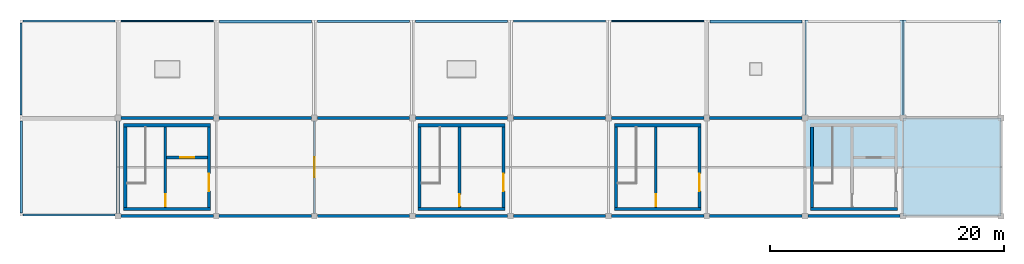
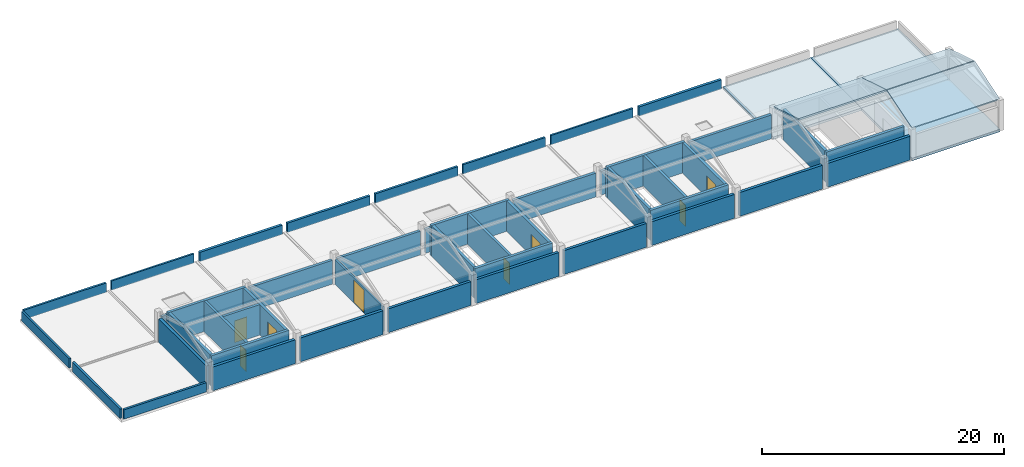
# One storey, part 2 of 4: 46 walls, 8 doors, 6 slabs, 8 openings.
"""IFC4 building model written with IfcOpenShell, lengths in metres."""

from ifc_helpers import new_model, si_unit, direction, frame, frame_2d, origin, place, context, subcontext, project, spatial, polyline, rectangle, outline, extrude, material, layer, layer_set, type_object, element, fill, save


model = new_model("IFC4")

# Units and contexts
model_context = context("Model", 3, precision=1e-05, world=origin(), true_north=direction((0.0, 1.0)))
body_context = subcontext(model_context, "Body", "Model", "MODEL_VIEW")
ifc_project = project(units=[si_unit("LENGTHUNIT", "METRE"), si_unit("AREAUNIT", "SQUARE_METRE"), si_unit("VOLUMEUNIT", "CUBIC_METRE"), si_unit("PLANEANGLEUNIT", "RADIAN"), si_unit("MASSUNIT", "GRAM", prefix="KILO")], contexts=[model_context])

# Site, building, storey
site_placement = place(None, origin())
site = spatial("IfcSite", under=ifc_project, at=site_placement, CompositionType="ELEMENT")
building_placement = place(site_placement, origin())
building = spatial("IfcBuilding", under=site, at=building_placement, Name="Porcellanite Civic Hall", CompositionType="ELEMENT")
storey_placement = place(building_placement, frame((0.0, 0.0, 27.719970703125)))
storey = spatial("IfcBuildingStorey", under=building, at=storey_placement, Name="RF", CompositionType="ELEMENT", Elevation=27.719970703125)

# Slabs
ifc_material_1 = material(Name="Concrete N40 (40 MPa)", Category="concrete")
ifc_layer_1 = layer(ifc_material_1, 0.25)
ifc_layer_set_1 = layer_set([ifc_layer_1], Name="Concrete N40 (40 MPa)")
slab_type_1 = type_object("IfcSlabType", Name="SL-FL250", PredefinedType="FLOOR", material=ifc_layer_set_1)
slab_1_placement = place(storey_placement, frame((0.0, 0.0, -0.25)))
element("IfcSlab", 1, at=slab_1_placement, inside=storey, type_object=slab_type_1, Name="Slab RF bay 15-13", PredefinedType="FLOOR", context=body_context, shape_type="SweptSolid", body=[
    extrude(outline(polyline([(117.60009765625, 100.800048828125), (126.0, 100.800048828125), (126.0, 109.199951171875), (117.60009765625, 109.199951171875), (117.60009765625, 100.800048828125)])), origin(), (0.0, 0.0, 1.0), 0.25),
])
ifc_material_2 = material(Name="Concrete N40 (40 MPa)", Category="concrete")
ifc_layer_2 = layer(ifc_material_2, 0.25)
ifc_layer_set_2 = layer_set([ifc_layer_2], Name="Concrete N40 (40 MPa)")
slab_type_2 = type_object("IfcSlabType", Name="SL-RF250", PredefinedType="ROOF", material=ifc_layer_set_2)
slab_2_placement = place(storey_placement, frame((0.0, 0.0, -0.25)))
element("IfcSlab", 2, at=slab_2_placement, inside=storey, type_object=slab_type_2, Name="Roof slab RF 14-14", PredefinedType="ROOF", context=body_context, shape_type="SweptSolid", body=[
    extrude(outline(polyline([(109.199951171875, 109.199951171875), (117.60009765625, 109.199951171875), (117.60009765625, 117.60009765625), (109.199951171875, 117.60009765625), (109.199951171875, 109.199951171875)])), origin(), (0.0, 0.0, 1.0), 0.25),
])
slab_3_placement = place(storey_placement, frame((0.0, 0.0, -0.25)))
element("IfcSlab", 3, at=slab_3_placement, inside=storey, type_object=slab_type_2, Name="Roof slab RF 15-14", PredefinedType="ROOF", context=body_context, shape_type="SweptSolid", body=[
    extrude(outline(polyline([(117.60009765625, 109.199951171875), (126.0, 109.199951171875), (126.0, 117.60009765625), (117.60009765625, 117.60009765625), (117.60009765625, 109.199951171875)])), origin(), (0.0, 0.0, 1.0), 0.25),
])
ifc_material_3 = material(Name="Concrete N40 (40 MPa)", Category="concrete")
ifc_layer_3 = layer(ifc_material_3, 0.14990234375)
ifc_layer_set_3 = layer_set([ifc_layer_3], Name="Concrete N40 (40 MPa)")
slab_type_3 = type_object("IfcSlabType", Name="SL-SAW150", PredefinedType="ROOF", material=ifc_layer_set_3)
slab_4_placement = place(storey_placement, frame((109.199951171875, 105.034912109375, 4.380126953125), z_axis=(0.0, 0.295863779045, 0.955230142033), x_axis=(1.0, 0.0, 0.0)))
element("IfcSlab", 4, at=slab_4_placement, inside=storey, type_object=slab_type_3, Name="RF plant roof north 13", PredefinedType="ROOF", context=body_context, shape_type="SweptSolid", body=[
    extrude(outline(polyline([(0.0, 0.0), (8.400146484375, 0.0), (8.400146484375, 4.360246687393588), (0.0, 4.360246687393588), (0.0, 0.0)])), origin(), (0.0, 0.0, -1.0), 0.14990234375),
])
for number, where, z_axis, x_axis, name in (
    (5, (117.60009765625, 100.800048828125, 3.090087890625), (0.0, -0.295863779045, 0.955230142033), (1.0, 0.0, 0.0), "RF plant roof south 14"),
    (6, (117.60009765625, 105.034912109375, 4.380126953125), (0.0, 0.295863779045, 0.955230142033), (1.0, 0.0, 0.0), "RF plant roof north 14"),
):
    element("IfcSlab", number, at=place(storey_placement, frame(where, z_axis=z_axis, x_axis=x_axis)), inside=storey, type_object=slab_type_3, Name=name, PredefinedType="ROOF", context=body_context, shape_type="SweptSolid", body=[
        extrude(outline(polyline([(0.0, 0.0), (8.39990234375, 0.0), (8.39990234375, 4.360246687393588), (0.0, 4.360246687393588), (0.0, 0.0)])), origin(), (0.0, 0.0, -1.0), 0.14990234375),
    ])

# Wall, opening, door
ifc_material_4 = material(Name="Concrete N40 (40 MPa)", Category="concrete")
ifc_layer_4 = layer(ifc_material_4, 0.239990234375)
ifc_layer_set_4 = layer_set([ifc_layer_4], Name="Concrete N40 (40 MPa)")
wall_type_1 = type_object("IfcWallType", Name="CW-SH240", PredefinedType="SHEAR", material=ifc_layer_set_4)
wall_1_placement = place(storey_placement, frame((54.43994140625, 101.5400390625, 0.0), z_axis=(0.0, 0.0, 1.0), x_axis=(0.0, 1.0, 0.0)))
wall_1 = element("IfcWall", 7, at=wall_1_placement, inside=storey, type_object=wall_type_1, Name="Core divider C3 RF", PredefinedType="SHEAR", context=body_context, shape_type="SweptSolid", body=[
    extrude(rectangle(XDim=6.919921875, YDim=0.239990234375, at=frame_2d((3.4599609375, 0.0))), origin(), (0.0, 0.0, 1.0), 3.090087890625),
])
opening_1_placement = place(wall_1_placement, frame((0.1201171875, 0.0, 0.0)))
opening_1 = element("IfcOpeningElement", 8, at=opening_1_placement, cuts=wall_1, Name="Opening FD-C3-RF-ST", PredefinedType="OPENING", context=body_context, shape_type="SweptSolid", body=[
    extrude(rectangle(XDim=1.0, YDim=2.14990234375, at=frame_2d((0.5, 1.074951171875))), frame((0.0, 0.1201171875, 0.0), z_axis=(0.0, -1.0, 0.0), x_axis=(1.0, 0.0, 0.0)), (0.0, 0.0, 1.0), 0.239990234375),
])
ifc_material_5 = material(Name="Fire-rated solid-core hardwood timber", Category="wood")
door_type_1 = type_object("IfcDoorType", Name="DR-FD100", OperationType="NOTDEFINED", PredefinedType="DOOR", material=ifc_material_5)
door_1_placement = place(opening_1_placement, origin())
door_1 = element("IfcDoor", 9, at=door_1_placement, inside=storey, type_object=door_type_1, Name="Fire stair door FD-C3-RF-ST", OperationType="SINGLE_SWING_RIGHT", OverallHeight=2.14990234375, OverallWidth=1.0, PredefinedType="DOOR", context=body_context, shape_type="SweptSolid", body=[
    extrude(rectangle(XDim=1.0, YDim=2.14990234375, at=frame_2d((0.5, 1.074951171875))), frame((0.0, 0.02490234375, 0.0), z_axis=(0.0, -1.0, 0.0), x_axis=(1.0, 0.0, 0.0)), (0.0, 0.0, 1.0), 0.050048828125),
])
fill(opening_1, door_1)

wall_2_placement = place(storey_placement, frame((54.56005859375, 105.820068359375, 0.0), z_axis=(0.0, 0.0, 1.0), x_axis=(1.0, 0.0, 0.0)))
wall_2 = element("IfcWall", 10, at=wall_2_placement, inside=storey, type_object=wall_type_1, Name="Lift shaft wall C3 RF", PredefinedType="SHEAR", context=body_context, shape_type="SweptSolid", body=[
    extrude(rectangle(XDim=3.5, YDim=0.239990234375, at=frame_2d((1.75, 0.0))), origin(), (0.0, 0.0, 1.0), 3.090087890625),
])
opening_2_placement = place(wall_2_placement, frame((1.14990234375, 0.0, 0.0)))
opening_2 = element("IfcOpeningElement", 11, at=opening_2_placement, cuts=wall_2, Name="Opening LD-01", PredefinedType="OPENING", context=body_context, shape_type="SweptSolid", body=[
    extrude(rectangle(XDim=1.199951171875, YDim=2.199951171875, at=frame_2d((0.60009765625, 1.10009765625))), frame((0.0, 0.1201171875, 0.0), z_axis=(0.0, -1.0, 0.0), x_axis=(1.0, 0.0, 0.0)), (0.0, 0.0, 1.0), 0.239990234375),
])
ifc_material_6 = material(Name="Brushed stainless steel 316", Category="steel")
door_type_2 = type_object("IfcDoorType", Name="DR-LD120", OperationType="DOUBLE_DOOR_SLIDING", PredefinedType="DOOR", material=ifc_material_6)
door_2_placement = place(opening_2_placement, origin())
door_2 = element("IfcDoor", 12, at=door_2_placement, inside=storey, type_object=door_type_2, Name="Lift landing sliding door LD-01 RF", OperationType="DOUBLE_DOOR_SLIDING", OverallHeight=2.199951171875, OverallWidth=1.199951171875, PredefinedType="DOOR", context=body_context, shape_type="SweptSolid", body=[
    extrude(rectangle(XDim=1.199951171875, YDim=2.199951171875, at=frame_2d((0.60009765625, 1.10009765625))), frame((0.0, 0.02490234375, 0.0), z_axis=(0.0, -1.0, 0.0), x_axis=(1.0, 0.0, 0.0)), (0.0, 0.0, 1.0), 0.050048828125),
])
fill(opening_2, door_2)

wall_3_placement = place(storey_placement, frame((79.639892578125, 101.5400390625, 0.0), z_axis=(0.0, 0.0, 1.0), x_axis=(0.0, 1.0, 0.0)))
wall_3 = element("IfcWall", 13, at=wall_3_placement, inside=storey, type_object=wall_type_1, Name="Core divider S9 RF", PredefinedType="SHEAR", context=body_context, shape_type="SweptSolid", body=[
    extrude(rectangle(XDim=6.919921875, YDim=0.239990234375, at=frame_2d((3.4599609375, 0.0))), origin(), (0.0, 0.0, 1.0), 3.090087890625),
])
opening_3_placement = place(wall_3_placement, frame((0.1201171875, 0.0, 0.0)))
opening_3 = element("IfcOpeningElement", 14, at=opening_3_placement, cuts=wall_3, Name="Opening FD-S9-RF-ST", PredefinedType="OPENING", context=body_context, shape_type="SweptSolid", body=[
    extrude(rectangle(XDim=1.0, YDim=2.14990234375, at=frame_2d((0.5, 1.074951171875))), frame((0.0, 0.1201171875, 0.0), z_axis=(0.0, -1.0, 0.0), x_axis=(1.0, 0.0, 0.0)), (0.0, 0.0, 1.0), 0.239990234375),
])
door_3_placement = place(opening_3_placement, origin())
door_3 = element("IfcDoor", 15, at=door_3_placement, inside=storey, type_object=door_type_1, Name="Fire stair door FD-S9-RF-ST", OperationType="SINGLE_SWING_RIGHT", OverallHeight=2.14990234375, OverallWidth=1.0, PredefinedType="DOOR", context=body_context, shape_type="SweptSolid", body=[
    extrude(rectangle(XDim=1.0, YDim=2.14990234375, at=frame_2d((0.5, 1.074951171875))), frame((0.0, 0.02490234375, 0.0), z_axis=(0.0, -1.0, 0.0), x_axis=(1.0, 0.0, 0.0)), (0.0, 0.0, 1.0), 0.050048828125),
])
fill(opening_3, door_3)

wall_4_placement = place(storey_placement, frame((96.43994140625, 101.5400390625, 0.0), z_axis=(0.0, 0.0, 1.0), x_axis=(0.0, 1.0, 0.0)))
wall_4 = element("IfcWall", 16, at=wall_4_placement, inside=storey, type_object=wall_type_1, Name="Core divider S10 RF", PredefinedType="SHEAR", context=body_context, shape_type="SweptSolid", body=[
    extrude(rectangle(XDim=6.919921875, YDim=0.239990234375, at=frame_2d((3.4599609375, 0.0))), origin(), (0.0, 0.0, 1.0), 3.090087890625),
])
opening_4_placement = place(wall_4_placement, frame((0.1201171875, 0.0, 0.0)))
opening_4 = element("IfcOpeningElement", 17, at=opening_4_placement, cuts=wall_4, Name="Opening FD-S10-RF-ST", PredefinedType="OPENING", context=body_context, shape_type="SweptSolid", body=[
    extrude(rectangle(XDim=1.0, YDim=2.14990234375, at=frame_2d((0.5, 1.074951171875))), frame((0.0, 0.1201171875, 0.0), z_axis=(0.0, -1.0, 0.0), x_axis=(1.0, 0.0, 0.0)), (0.0, 0.0, 1.0), 0.239990234375),
])
door_4_placement = place(opening_4_placement, origin())
door_4 = element("IfcDoor", 18, at=door_4_placement, inside=storey, type_object=door_type_1, Name="Fire stair door FD-S10-RF-ST", OperationType="SINGLE_SWING_LEFT", OverallHeight=2.14990234375, OverallWidth=1.0, PredefinedType="DOOR", context=body_context, shape_type="SweptSolid", body=[
    extrude(rectangle(XDim=1.0, YDim=2.14990234375, at=frame_2d((0.5, 1.074951171875))), frame((0.0, 0.02490234375, 0.0), z_axis=(0.0, -1.0, 0.0), x_axis=(1.0, 0.0, 0.0)), (0.0, 0.0, 1.0), 0.050048828125),
])
fill(opening_4, door_4)

# Walls
ifc_material_7 = material(Name="Concrete N40 (40 MPa)", Category="concrete")
ifc_layer_5 = layer(ifc_material_7, 0.260009765625)
ifc_layer_set_5 = layer_set([ifc_layer_5], Name="Concrete N40 (40 MPa)")
wall_type_2 = type_object("IfcWallType", Name="CW-SH260", PredefinedType="SHEAR", material=ifc_layer_set_5)
wall_5_placement = place(storey_placement, frame((58.320068359375, 101.409912109375, 0.0), z_axis=(0.0, 0.0, 1.0), x_axis=(-1.0, 0.0, 0.0)))
element("IfcWall", 19, at=wall_5_placement, inside=storey, type_object=wall_type_2, Name="Core wall C3 RF S", PredefinedType="SHEAR", context=body_context, shape_type="SweptSolid", body=[
    extrude(rectangle(XDim=7.440185546875, YDim=0.260009765625, at=frame_2d((3.72021484375, 0.0))), origin(), (0.0, 0.0, 1.0), 3.090087890625),
])
wall_6_placement = place(storey_placement, frame((51.010009765625, 101.5400390625, 0.0), z_axis=(0.0, 0.0, 1.0), x_axis=(0.0, 1.0, 0.0)))
element("IfcWall", 20, at=wall_6_placement, inside=storey, type_object=wall_type_2, Name="Core wall C3 RF W", PredefinedType="SHEAR", context=body_context, shape_type="SweptSolid", body=[
    extrude(rectangle(XDim=6.919921875, YDim=0.260009765625, at=frame_2d((3.4599609375, 0.0))), origin(), (0.0, 0.0, 1.0), 3.090087890625),
])
wall_7_placement = place(storey_placement, frame((50.8798828125, 108.590087890625, 0.0), z_axis=(0.0, 0.0, 1.0), x_axis=(1.0, 0.0, 0.0)))
element("IfcWall", 21, at=wall_7_placement, inside=storey, type_object=wall_type_2, Name="Core wall C3 RF N", PredefinedType="SHEAR", context=body_context, shape_type="SweptSolid", body=[
    extrude(rectangle(XDim=7.440185546875, YDim=0.260009765625, at=frame_2d((3.72021484375, 0.0))), origin(), (0.0, 0.0, 1.0), 3.090087890625),
])

# Wall, opening, door
wall_8_placement = place(storey_placement, frame((58.18994140625, 108.4599609375, 0.0), z_axis=(0.0, 0.0, 1.0), x_axis=(0.0, -1.0, 0.0)))
wall_8 = element("IfcWall", 22, at=wall_8_placement, inside=storey, type_object=wall_type_2, Name="Core wall C3 RF E", PredefinedType="SHEAR", context=body_context, shape_type="SweptSolid", body=[
    extrude(rectangle(XDim=6.919921875, YDim=0.260009765625, at=frame_2d((3.4599609375, 0.0))), origin(), (0.0, 0.0, 1.0), 3.090087890625),
])
opening_5_placement = place(wall_8_placement, frame((4.010009765625, 0.0, 0.0)))
opening_5 = element("IfcOpeningElement", 23, at=opening_5_placement, cuts=wall_8, Name="Opening FD-C3-RF-LB", PredefinedType="OPENING", context=body_context, shape_type="SweptSolid", body=[
    extrude(rectangle(XDim=1.5, YDim=2.14990234375, at=frame_2d((0.75, 1.074951171875))), frame((0.0, 0.1298828125, 0.0), z_axis=(0.0, -1.0, 0.0), x_axis=(1.0, 0.0, 0.0)), (0.0, 0.0, 1.0), 0.260009765625),
])
ifc_material_8 = material(Name="Fire-rated steel and Georgian wired glass", Category="steel")
door_type_3 = type_object("IfcDoorType", Name="DR-FD150", OperationType="DOUBLE_DOOR_SINGLE_SWING", PredefinedType="DOOR", material=ifc_material_8)
door_5_placement = place(opening_5_placement, origin())
door_5 = element("IfcDoor", 24, at=door_5_placement, inside=storey, type_object=door_type_3, Name="Fire lobby double door FD-C3-RF-LB", OperationType="DOUBLE_DOOR_SINGLE_SWING", OverallHeight=2.14990234375, OverallWidth=1.5, PredefinedType="DOOR", context=body_context, shape_type="SweptSolid", body=[
    extrude(rectangle(XDim=1.5, YDim=2.14990234375, at=frame_2d((0.75, 1.074951171875))), frame((0.0, 0.02490234375, 0.0), z_axis=(0.0, -1.0, 0.0), x_axis=(1.0, 0.0, 0.0)), (0.0, 0.0, 1.0), 0.050048828125),
])
fill(opening_5, door_5)

# Walls
wall_9_placement = place(storey_placement, frame((117.1201171875, 101.409912109375, 0.0), z_axis=(0.0, 0.0, 1.0), x_axis=(-1.0, 0.0, 0.0)))
element("IfcWall", 25, at=wall_9_placement, inside=storey, type_object=wall_type_2, Name="Core wall C4 RF S", PredefinedType="SHEAR", context=body_context, shape_type="SweptSolid", body=[
    extrude(rectangle(XDim=7.440185546875, YDim=0.260009765625, at=frame_2d((3.72021484375, 0.0))), origin(), (0.0, 0.0, 1.0), 3.090087890625),
])
wall_10_placement = place(storey_placement, frame((109.81005859375, 101.5400390625, 0.0), z_axis=(0.0, 0.0, 1.0), x_axis=(0.0, 1.0, 0.0)))
element("IfcWall", 26, at=wall_10_placement, inside=storey, type_object=wall_type_2, Name="Core wall C4 RF W", PredefinedType="SHEAR", context=body_context, shape_type="SweptSolid", body=[
    extrude(rectangle(XDim=6.919921875, YDim=0.260009765625, at=frame_2d((3.4599609375, 0.0))), origin(), (0.0, 0.0, 1.0), 3.090087890625),
])
wall_11_placement = place(storey_placement, frame((83.52001953125, 101.409912109375, 0.0), z_axis=(0.0, 0.0, 1.0), x_axis=(-1.0, 0.0, 0.0)))
element("IfcWall", 27, at=wall_11_placement, inside=storey, type_object=wall_type_2, Name="Core wall S9 RF S", PredefinedType="SHEAR", context=body_context, shape_type="SweptSolid", body=[
    extrude(rectangle(XDim=7.43994140625, YDim=0.260009765625, at=frame_2d((3.719970703125, 0.0))), origin(), (0.0, 0.0, 1.0), 3.090087890625),
])
wall_12_placement = place(storey_placement, frame((76.2099609375, 101.5400390625, 0.0), z_axis=(0.0, 0.0, 1.0), x_axis=(0.0, 1.0, 0.0)))
element("IfcWall", 28, at=wall_12_placement, inside=storey, type_object=wall_type_2, Name="Core wall S9 RF W", PredefinedType="SHEAR", context=body_context, shape_type="SweptSolid", body=[
    extrude(rectangle(XDim=6.919921875, YDim=0.260009765625, at=frame_2d((3.4599609375, 0.0))), origin(), (0.0, 0.0, 1.0), 3.090087890625),
])
wall_13_placement = place(storey_placement, frame((76.080078125, 108.590087890625, 0.0), z_axis=(0.0, 0.0, 1.0), x_axis=(1.0, 0.0, 0.0)))
element("IfcWall", 29, at=wall_13_placement, inside=storey, type_object=wall_type_2, Name="Core wall S9 RF N", PredefinedType="SHEAR", context=body_context, shape_type="SweptSolid", body=[
    extrude(rectangle(XDim=7.43994140625, YDim=0.260009765625, at=frame_2d((3.719970703125, 0.0))), origin(), (0.0, 0.0, 1.0), 3.090087890625),
])

# Wall, opening, door
wall_14_placement = place(storey_placement, frame((83.389892578125, 108.4599609375, 0.0), z_axis=(0.0, 0.0, 1.0), x_axis=(0.0, -1.0, 0.0)))
wall_14 = element("IfcWall", 30, at=wall_14_placement, inside=storey, type_object=wall_type_2, Name="Core wall S9 RF E", PredefinedType="SHEAR", context=body_context, shape_type="SweptSolid", body=[
    extrude(rectangle(XDim=6.919921875, YDim=0.260009765625, at=frame_2d((3.4599609375, 0.0))), origin(), (0.0, 0.0, 1.0), 3.090087890625),
])
opening_6_placement = place(wall_14_placement, frame((4.010009765625, 0.0, 0.0)))
opening_6 = element("IfcOpeningElement", 31, at=opening_6_placement, cuts=wall_14, Name="Opening FD-S9-RF-LB", PredefinedType="OPENING", context=body_context, shape_type="SweptSolid", body=[
    extrude(rectangle(XDim=1.5, YDim=2.14990234375, at=frame_2d((0.75, 1.074951171875))), frame((0.0, 0.1298828125, 0.0), z_axis=(0.0, -1.0, 0.0), x_axis=(1.0, 0.0, 0.0)), (0.0, 0.0, 1.0), 0.260009765625),
])
door_6_placement = place(opening_6_placement, origin())
door_6 = element("IfcDoor", 32, at=door_6_placement, inside=storey, type_object=door_type_3, Name="Fire lobby double door FD-S9-RF-LB", OperationType="DOUBLE_DOOR_SINGLE_SWING", OverallHeight=2.14990234375, OverallWidth=1.5, PredefinedType="DOOR", context=body_context, shape_type="SweptSolid", body=[
    extrude(rectangle(XDim=1.5, YDim=2.14990234375, at=frame_2d((0.75, 1.074951171875))), frame((0.0, 0.02490234375, 0.0), z_axis=(0.0, -1.0, 0.0), x_axis=(1.0, 0.0, 0.0)), (0.0, 0.0, 1.0), 0.050048828125),
])
fill(opening_6, door_6)

# Walls
wall_15_placement = place(storey_placement, frame((100.320068359375, 101.409912109375, 0.0), z_axis=(0.0, 0.0, 1.0), x_axis=(-1.0, 0.0, 0.0)))
element("IfcWall", 33, at=wall_15_placement, inside=storey, type_object=wall_type_2, Name="Core wall S10 RF S", PredefinedType="SHEAR", context=body_context, shape_type="SweptSolid", body=[
    extrude(rectangle(XDim=7.440185546875, YDim=0.260009765625, at=frame_2d((3.72021484375, 0.0))), origin(), (0.0, 0.0, 1.0), 3.090087890625),
])
wall_16_placement = place(storey_placement, frame((93.010009765625, 101.5400390625, 0.0), z_axis=(0.0, 0.0, 1.0), x_axis=(0.0, 1.0, 0.0)))
element("IfcWall", 34, at=wall_16_placement, inside=storey, type_object=wall_type_2, Name="Core wall S10 RF W", PredefinedType="SHEAR", context=body_context, shape_type="SweptSolid", body=[
    extrude(rectangle(XDim=6.919921875, YDim=0.260009765625, at=frame_2d((3.4599609375, 0.0))), origin(), (0.0, 0.0, 1.0), 3.090087890625),
])
wall_17_placement = place(storey_placement, frame((92.8798828125, 108.590087890625, 0.0), z_axis=(0.0, 0.0, 1.0), x_axis=(1.0, 0.0, 0.0)))
element("IfcWall", 35, at=wall_17_placement, inside=storey, type_object=wall_type_2, Name="Core wall S10 RF N", PredefinedType="SHEAR", context=body_context, shape_type="SweptSolid", body=[
    extrude(rectangle(XDim=7.440185546875, YDim=0.260009765625, at=frame_2d((3.72021484375, 0.0))), origin(), (0.0, 0.0, 1.0), 3.090087890625),
])

# Wall, opening, door
wall_18_placement = place(storey_placement, frame((100.18994140625, 108.4599609375, 0.0), z_axis=(0.0, 0.0, 1.0), x_axis=(0.0, -1.0, 0.0)))
wall_18 = element("IfcWall", 36, at=wall_18_placement, inside=storey, type_object=wall_type_2, Name="Core wall S10 RF E", PredefinedType="SHEAR", context=body_context, shape_type="SweptSolid", body=[
    extrude(rectangle(XDim=6.919921875, YDim=0.260009765625, at=frame_2d((3.4599609375, 0.0))), origin(), (0.0, 0.0, 1.0), 3.090087890625),
])
opening_7_placement = place(wall_18_placement, frame((4.010009765625, 0.0, 0.0)))
opening_7 = element("IfcOpeningElement", 37, at=opening_7_placement, cuts=wall_18, Name="Opening FD-S10-RF-LB", PredefinedType="OPENING", context=body_context, shape_type="SweptSolid", body=[
    extrude(rectangle(XDim=1.5, YDim=2.14990234375, at=frame_2d((0.75, 1.074951171875))), frame((0.0, 0.1298828125, 0.0), z_axis=(0.0, -1.0, 0.0), x_axis=(1.0, 0.0, 0.0)), (0.0, 0.0, 1.0), 0.260009765625),
])
door_7_placement = place(opening_7_placement, origin())
door_7 = element("IfcDoor", 38, at=door_7_placement, inside=storey, type_object=door_type_3, Name="Fire lobby double door FD-S10-RF-LB", OperationType="DOUBLE_DOOR_SINGLE_SWING", OverallHeight=2.14990234375, OverallWidth=1.5, PredefinedType="DOOR", context=body_context, shape_type="SweptSolid", body=[
    extrude(rectangle(XDim=1.5, YDim=2.14990234375, at=frame_2d((0.75, 1.074951171875))), frame((0.0, 0.02490234375, 0.0), z_axis=(0.0, -1.0, 0.0), x_axis=(1.0, 0.0, 0.0)), (0.0, 0.0, 1.0), 0.050048828125),
])
fill(opening_7, door_7)

# Walls
ifc_material_9 = material(Name="Precast concrete N40 (40 MPa)", Category="concrete")
ifc_layer_6 = layer(ifc_material_9, 0.260009765625)
ifc_layer_set_6 = layer_set([ifc_layer_6], Name="Precast concrete N40 (40 MPa)")
wall_type_3 = type_object("IfcWallType", Name="EW-PLT260", PredefinedType="SOLIDWALL", material=ifc_layer_set_6)
wall_19_placement = place(storey_placement, frame((58.549072265625, 100.800048828125, 0.0), z_axis=(0.0, 0.0, 1.0), x_axis=(-1.0, 0.0, 0.0)))
element("IfcWall", 39, at=wall_19_placement, inside=storey, type_object=wall_type_3, Name="Exterior wall RF S 7-13", PredefinedType="SOLIDWALL", context=body_context, shape_type="SweptSolid", body=[
    extrude(rectangle(XDim=7.898193359375, YDim=0.260009765625, at=frame_2d((3.94921875, 0.0))), origin(), (0.0, 0.0, 1.0), 2.409912109375),
])
wall_20_placement = place(storey_placement, frame((50.39990234375, 101.051025390625, 0.0), z_axis=(0.0, 0.0, 1.0), x_axis=(0.0, 1.0, 0.0)))
element("IfcWall", 40, at=wall_20_placement, inside=storey, type_object=wall_type_3, Name="Exterior wall RF W 7-13", PredefinedType="SOLIDWALL", context=body_context, shape_type="SweptSolid", body=[
    extrude(rectangle(XDim=7.89794921875, YDim=0.260009765625, at=frame_2d((3.948974609375, 0.0))), origin(), (0.0, 0.0, 1.0), 2.409912109375),
])
wall_21_placement = place(storey_placement, frame((50.65087890625, 109.199951171875, 0.0), z_axis=(0.0, 0.0, 1.0), x_axis=(1.0, 0.0, 0.0)))
element("IfcWall", 41, at=wall_21_placement, inside=storey, type_object=wall_type_3, Name="Exterior wall RF N 7-13", PredefinedType="SOLIDWALL", context=body_context, shape_type="SweptSolid", body=[
    extrude(rectangle(XDim=7.898193359375, YDim=0.260009765625, at=frame_2d((3.94921875, 0.0))), origin(), (0.0, 0.0, 1.0), 2.409912109375),
])
for number, where, z_axis, x_axis, name in (
    (42, (66.948974609375, 100.800048828125, 0.0), (0.0, 0.0, 1.0), (-1.0, 0.0, 0.0), "Exterior wall RF S 8-13"),
    (43, (59.051025390625, 109.199951171875, 0.0), (0.0, 0.0, 1.0), (1.0, 0.0, 0.0), "Exterior wall RF N 8-13"),
):
    element("IfcWall", number, at=place(storey_placement, frame(where, z_axis=z_axis, x_axis=x_axis)), inside=storey, type_object=wall_type_3, Name=name, PredefinedType="SOLIDWALL", context=body_context, shape_type="SweptSolid", body=[
        extrude(rectangle(XDim=7.89794921875, YDim=0.260009765625, at=frame_2d((3.948974609375, 0.0))), origin(), (0.0, 0.0, 1.0), 2.409912109375),
    ])
for number, where, z_axis, x_axis, name in (
    (44, (75.34912109375, 100.800048828125, 0.0), (0.0, 0.0, 1.0), (-1.0, 0.0, 0.0), "Exterior wall RF S 9-13"),
    (45, (67.450927734375, 109.199951171875, 0.0), (0.0, 0.0, 1.0), (1.0, 0.0, 0.0), "Exterior wall RF N 9-13"),
):
    element("IfcWall", number, at=place(storey_placement, frame(where, z_axis=z_axis, x_axis=x_axis)), inside=storey, type_object=wall_type_3, Name=name, PredefinedType="SOLIDWALL", context=body_context, shape_type="SweptSolid", body=[
        extrude(rectangle(XDim=7.898193359375, YDim=0.260009765625, at=frame_2d((3.94921875, 0.0))), origin(), (0.0, 0.0, 1.0), 2.409912109375),
    ])
for number, where, z_axis, x_axis, name in (
    (46, (83.7490234375, 100.800048828125, 0.0), (0.0, 0.0, 1.0), (-1.0, 0.0, 0.0), "Exterior wall RF S 10-13"),
    (47, (75.85107421875, 109.199951171875, 0.0), (0.0, 0.0, 1.0), (1.0, 0.0, 0.0), "Exterior wall RF N 10-13"),
    (48, (92.14892578125, 100.800048828125, 0.0), (0.0, 0.0, 1.0), (-1.0, 0.0, 0.0), "Exterior wall RF S 11-13"),
    (49, (84.2509765625, 109.199951171875, 0.0), (0.0, 0.0, 1.0), (1.0, 0.0, 0.0), "Exterior wall RF N 11-13"),
):
    element("IfcWall", number, at=place(storey_placement, frame(where, z_axis=z_axis, x_axis=x_axis)), inside=storey, type_object=wall_type_3, Name=name, PredefinedType="SOLIDWALL", context=body_context, shape_type="SweptSolid", body=[
        extrude(rectangle(XDim=7.89794921875, YDim=0.260009765625, at=frame_2d((3.948974609375, 0.0))), origin(), (0.0, 0.0, 1.0), 2.409912109375),
    ])
for number, where, z_axis, x_axis, name in (
    (50, (100.549072265625, 100.800048828125, 0.0), (0.0, 0.0, 1.0), (-1.0, 0.0, 0.0), "Exterior wall RF S 12-13"),
    (51, (92.65087890625, 109.199951171875, 0.0), (0.0, 0.0, 1.0), (1.0, 0.0, 0.0), "Exterior wall RF N 12-13"),
):
    element("IfcWall", number, at=place(storey_placement, frame(where, z_axis=z_axis, x_axis=x_axis)), inside=storey, type_object=wall_type_3, Name=name, PredefinedType="SOLIDWALL", context=body_context, shape_type="SweptSolid", body=[
        extrude(rectangle(XDim=7.898193359375, YDim=0.260009765625, at=frame_2d((3.94921875, 0.0))), origin(), (0.0, 0.0, 1.0), 2.409912109375),
    ])
for number, where, z_axis, x_axis, name in (
    (52, (108.948974609375, 100.800048828125, 0.0), (0.0, 0.0, 1.0), (-1.0, 0.0, 0.0), "Exterior wall RF S 13-13"),
    (53, (101.051025390625, 109.199951171875, 0.0), (0.0, 0.0, 1.0), (1.0, 0.0, 0.0), "Exterior wall RF N 13-13"),
):
    element("IfcWall", number, at=place(storey_placement, frame(where, z_axis=z_axis, x_axis=x_axis)), inside=storey, type_object=wall_type_3, Name=name, PredefinedType="SOLIDWALL", context=body_context, shape_type="SweptSolid", body=[
        extrude(rectangle(XDim=7.89794921875, YDim=0.260009765625, at=frame_2d((3.948974609375, 0.0))), origin(), (0.0, 0.0, 1.0), 2.409912109375),
    ])
wall_22_placement = place(storey_placement, frame((117.34912109375, 100.800048828125, 0.0), z_axis=(0.0, 0.0, 1.0), x_axis=(-1.0, 0.0, 0.0)))
element("IfcWall", 54, at=wall_22_placement, inside=storey, type_object=wall_type_3, Name="Exterior wall RF S 14-13", PredefinedType="SOLIDWALL", context=body_context, shape_type="SweptSolid", body=[
    extrude(rectangle(XDim=7.898193359375, YDim=0.260009765625, at=frame_2d((3.94921875, 0.0))), origin(), (0.0, 0.0, 1.0), 2.409912109375),
])

# Wall, opening, door
ifc_material_10 = material(Name="Insulated acoustic plasterboard on light-gauge steel studs", Category="steel")
ifc_layer_7 = layer(ifc_material_10, 0.155029296875)
ifc_layer_set_7 = layer_set([ifc_layer_7], Name="Insulated acoustic plasterboard on light-gauge steel studs")
wall_type_4 = type_object("IfcWallType", Name="IW-PT155", PredefinedType="PARTITIONING", material=ifc_layer_set_7)
wall_23_placement = place(storey_placement, frame((67.199951171875, 101.052001953125, 0.0), z_axis=(0.0, 0.0, 1.0), x_axis=(0.0, 1.0, 0.0)))
wall_23 = element("IfcWall", 55, at=wall_23_placement, inside=storey, type_object=wall_type_4, Name="Partition RF V 8-13", PredefinedType="PARTITIONING", context=body_context, shape_type="SweptSolid", body=[
    extrude(rectangle(XDim=7.89599609375, YDim=0.155029296875, at=frame_2d((3.947998046875, 0.0))), origin(), (0.0, 0.0, 1.0), 2.5),
])
opening_8_placement = place(wall_23_placement, frame((3.097900390625, 0.0, 0.0)))
opening_8 = element("IfcOpeningElement", 56, at=opening_8_placement, cuts=wall_23, Name="Opening D-RF-505", PredefinedType="OPENING", context=body_context, shape_type="SweptSolid", body=[
    extrude(rectangle(XDim=1.699951171875, YDim=2.320068359375, at=frame_2d((0.85009765625, 1.16015625))), frame((0.0, 0.07763671875, 0.0), z_axis=(0.0, -1.0, 0.0), x_axis=(1.0, 0.0, 0.0)), (0.0, 0.0, 1.0), 0.155029296875),
])
ifc_material_11 = material(Name="Acoustic spotted-gum timber and safety glass", Category="wood")
door_type_4 = type_object("IfcDoorType", Name="DR-AS170", OperationType="DOUBLE_DOOR_SINGLE_SWING", PredefinedType="DOOR", material=ifc_material_11)
door_8_placement = place(opening_8_placement, origin())
door_8 = element("IfcDoor", 57, at=door_8_placement, inside=storey, type_object=door_type_4, Name="Interior door D-RF-505", OperationType="DOUBLE_DOOR_SINGLE_SWING", OverallHeight=2.320068359375, OverallWidth=1.699951171875, PredefinedType="DOOR", context=body_context, shape_type="SweptSolid", body=[
    extrude(rectangle(XDim=1.699951171875, YDim=2.320068359375, at=frame_2d((0.85009765625, 1.16015625))), frame((0.0, 0.02490234375, 0.0), z_axis=(0.0, -1.0, 0.0), x_axis=(1.0, 0.0, 0.0)), (0.0, 0.0, 1.0), 0.050048828125),
])
fill(opening_8, door_8)

# Walls
ifc_material_12 = material(Name="Precast concrete N40 (40 MPa)", Category="concrete")
ifc_layer_8 = layer(ifc_material_12, 0.25)
ifc_layer_set_8 = layer_set([ifc_layer_8], Name="Precast concrete N40 (40 MPa)")
wall_type_5 = type_object("IfcWallType", Name="WP-PAR1", PredefinedType="PARAPET", material=ifc_layer_set_8)
for number, where, z_axis, x_axis, name in (
    (58, (59.06005859375, 117.47509765625, 0.0), (0.0, 0.0, 1.0), (1.0, 0.0, 0.0), "Roof parapet RF N 8-14"),
    (59, (101.06005859375, 117.47509765625, 0.0), (0.0, 0.0, 1.0), (1.0, 0.0, 0.0), "Roof parapet RF N 13-14"),
):
    element("IfcWall", number, at=place(storey_placement, frame(where, z_axis=z_axis, x_axis=x_axis)), inside=storey, type_object=wall_type_5, Name=name, PredefinedType="PARAPET", context=body_context, shape_type="SweptSolid", body=[
        extrude(rectangle(XDim=7.8798828125, YDim=0.25, at=frame_2d((3.93994140625, 0.0))), origin(), (0.0, 0.0, 1.0), 0.949951171875),
    ])
ifc_material_13 = material(Name="Precast concrete N40 (40 MPa)", Category="concrete")
ifc_layer_9 = layer(ifc_material_13, 0.22998046875)
ifc_layer_set_9 = layer_set([ifc_layer_9], Name="Precast concrete N40 (40 MPa)")
wall_type_6 = type_object("IfcWallType", Name="WP-PAR2", PredefinedType="PARAPET", material=ifc_layer_set_9)
wall_24_placement = place(storey_placement, frame((67.4599609375, 117.485107421875, 0.0), z_axis=(0.0, 0.0, 1.0), x_axis=(1.0, 0.0, 0.0)))
element("IfcWall", 60, at=wall_24_placement, inside=storey, type_object=wall_type_6, Name="Roof parapet RF N 9-14", PredefinedType="PARAPET", context=body_context, shape_type="SweptSolid", body=[
    extrude(rectangle(XDim=7.880126953125, YDim=0.22998046875, at=frame_2d((3.93994140625, 0.0))), origin(), (0.0, 0.0, 1.0), 0.949951171875),
])
ifc_material_14 = material(Name="Precast concrete N40 (40 MPa)", Category="concrete")
ifc_layer_10 = layer(ifc_material_14, 0.2099609375)
ifc_layer_set_10 = layer_set([ifc_layer_10], Name="Precast concrete N40 (40 MPa)")
wall_type_7 = type_object("IfcWallType", Name="WP-PAR3", PredefinedType="PARAPET", material=ifc_layer_set_10)
for number, where, z_axis, x_axis, name in (
    (61, (50.139892578125, 100.905029296875, 0.0), (0.0, 0.0, 1.0), (-1.0, 0.0, 0.0), "Roof parapet RF S 6-13"),
    (62, (42.10498046875, 101.06005859375, 0.0), (0.0, 0.0, 1.0), (0.0, 1.0, 0.0), "Roof parapet RF W 6-13"),
    (63, (75.860107421875, 117.4951171875, 0.0), (0.0, 0.0, 1.0), (1.0, 0.0, 0.0), "Roof parapet RF N 10-14"),
):
    element("IfcWall", number, at=place(storey_placement, frame(where, z_axis=z_axis, x_axis=x_axis)), inside=storey, type_object=wall_type_7, Name=name, PredefinedType="PARAPET", context=body_context, shape_type="SweptSolid", body=[
        extrude(rectangle(XDim=7.8798828125, YDim=0.2099609375, at=frame_2d((3.93994140625, 0.0))), origin(), (0.0, 0.0, 1.0), 0.949951171875),
    ])
ifc_material_15 = material(Name="Precast concrete N40 (40 MPa)", Category="concrete")
ifc_layer_11 = layer(ifc_material_15, 0.18994140625)
ifc_layer_set_11 = layer_set([ifc_layer_11], Name="Precast concrete N40 (40 MPa)")
wall_type_8 = type_object("IfcWallType", Name="WP-PAR4", PredefinedType="PARAPET", material=ifc_layer_set_11)
wall_25_placement = place(storey_placement, frame((42.094970703125, 109.4599609375, 0.0), z_axis=(0.0, 0.0, 1.0), x_axis=(0.0, 1.0, 0.0)))
element("IfcWall", 64, at=wall_25_placement, inside=storey, type_object=wall_type_8, Name="Roof parapet RF W 6-14", PredefinedType="PARAPET", context=body_context, shape_type="SweptSolid", body=[
    extrude(rectangle(XDim=7.880126953125, YDim=0.18994140625, at=frame_2d((3.93994140625, 0.0))), origin(), (0.0, 0.0, 1.0), 0.949951171875),
])
for number, where, z_axis, x_axis, name in (
    (65, (42.260009765625, 117.5048828125, 0.0), (0.0, 0.0, 1.0), (1.0, 0.0, 0.0), "Roof parapet RF N 6-14"),
    (66, (84.260009765625, 117.5048828125, 0.0), (0.0, 0.0, 1.0), (1.0, 0.0, 0.0), "Roof parapet RF N 11-14"),
):
    element("IfcWall", number, at=place(storey_placement, frame(where, z_axis=z_axis, x_axis=x_axis)), inside=storey, type_object=wall_type_8, Name=name, PredefinedType="PARAPET", context=body_context, shape_type="SweptSolid", body=[
        extrude(rectangle(XDim=7.8798828125, YDim=0.18994140625, at=frame_2d((3.93994140625, 0.0))), origin(), (0.0, 0.0, 1.0), 0.949951171875),
    ])
ifc_material_16 = material(Name="Precast concrete N40 (40 MPa)", Category="concrete")
ifc_layer_12 = layer(ifc_material_16, 0.169921875)
ifc_layer_set_12 = layer_set([ifc_layer_12], Name="Precast concrete N40 (40 MPa)")
wall_type_9 = type_object("IfcWallType", Name="WP-PAR5", PredefinedType="PARAPET", material=ifc_layer_set_12)
for number, where, z_axis, x_axis, name in (
    (67, (50.659912109375, 117.514892578125, 0.0), (0.0, 0.0, 1.0), (1.0, 0.0, 0.0), "Roof parapet RF N 7-14"),
    (68, (92.659912109375, 117.514892578125, 0.0), (0.0, 0.0, 1.0), (1.0, 0.0, 0.0), "Roof parapet RF N 12-14"),
):
    element("IfcWall", number, at=place(storey_placement, frame(where, z_axis=z_axis, x_axis=x_axis)), inside=storey, type_object=wall_type_9, Name=name, PredefinedType="PARAPET", context=body_context, shape_type="SweptSolid", body=[
        extrude(rectangle(XDim=7.880126953125, YDim=0.169921875, at=frame_2d((3.93994140625, 0.0))), origin(), (0.0, 0.0, 1.0), 0.949951171875),
    ])

save(model, "model.ifc")
